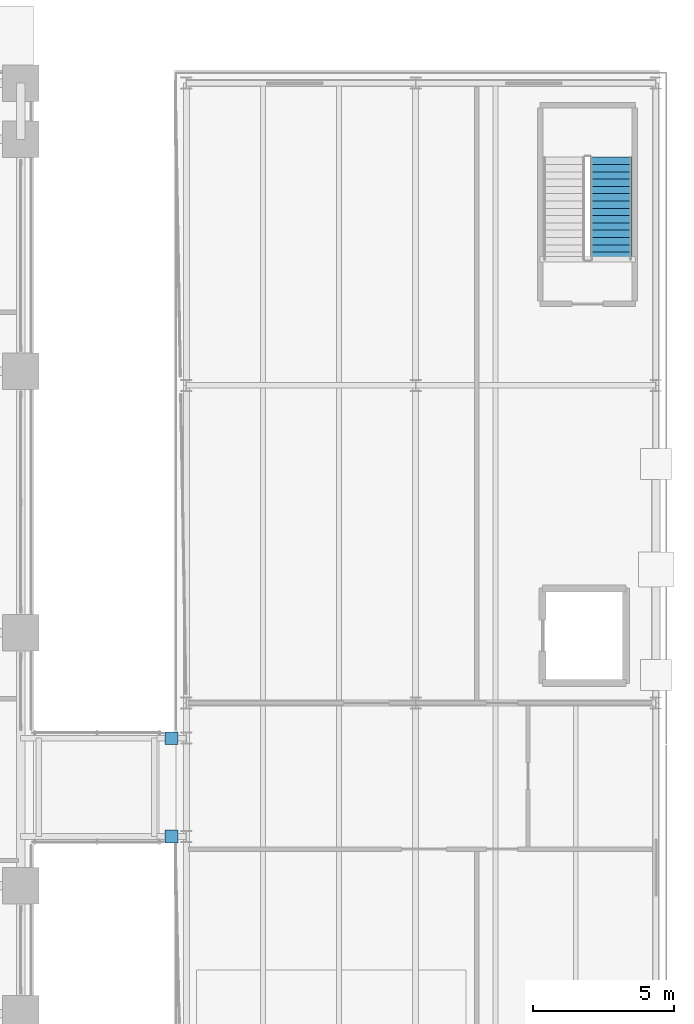
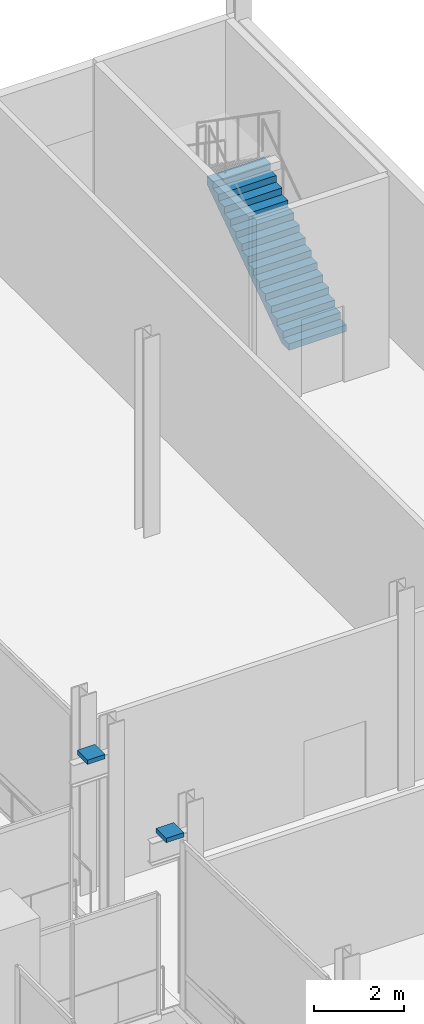
# One storey, part 23 of 32: 2 discrete accessories, 1 stair flight, 1 element without a shape of its own.
"""IFC4 building model written with IfcOpenShell, lengths in metres."""

import ifcopenshell
import ifcopenshell.guid

model = None  # the IFC model being written
_history = None  # IfcOwnerHistory: only IFC2X3 demands one
_inside = {}  # id of a spatial element -> (the spatial element, [elements in it])
_under = {}  # id of a project, library or spatial element -> (it, [spatial elements below it])
_declared = {}  # id of a project -> (the project, [libraries it declares])
_typed = {}  # id of a type object -> (the type object, [elements of that type])
_made_of = {}  # id of a material, layer set ... -> (it, [elements and type objects made of it])


def new_model(schema):
    """Start an empty IFC model of exactly this schema.

    Asked for "IFC4X3", IfcOpenShell would pick the latest addendum, in which some entities
    have other attributes; the version numbers below select the first issue.
    IFC2X3 requires an IfcOwnerHistory on every rooted entity: one is made here for all.
    """
    global model, _history
    if schema == "IFC4X3":
        model = ifcopenshell.file(schema_version=(4, 3, 0, 0))
    else:
        model = ifcopenshell.file(schema=schema)
    _inside.clear()
    _under.clear()
    _declared.clear()
    _typed.clear()
    _made_of.clear()
    _history = None
    if model.schema == "IFC2X3":
        org = make("IfcOrganization", Name="unknown")
        user = make(
            "IfcPersonAndOrganization",
            ThePerson=make("IfcPerson", FamilyName="unknown"),
            TheOrganization=org,
        )
        app = make(
            "IfcApplication",
            ApplicationDeveloper=org,
            Version="unknown",
            ApplicationFullName="unknown",
            ApplicationIdentifier="unknown",
        )
        _history = make(
            "IfcOwnerHistory",
            OwningUser=user,
            OwningApplication=app,
            ChangeAction="ADDED",
            CreationDate=0,
        )
    return model


def make(cls, **values):
    """One entity of the class cls with the attributes given. An attribute that is None is left unset."""
    return model.create_entity(
        cls, **{name: value for name, value in values.items() if value is not None}
    )


def rooted(cls, **values):
    """An entity with a GlobalId (a new one), such as an element, a storey or a relation."""
    return make(cls, GlobalId=ifcopenshell.guid.new(), OwnerHistory=_history, **values)


def si_unit(unit_type, name, prefix=None):
    """IfcSIUnit, for example si_unit("LENGTHUNIT", "METRE", prefix="MILLI")."""
    return make("IfcSIUnit", UnitType=unit_type, Prefix=prefix, Name=name)


def assignment(units):
    """IfcUnitAssignment: the units of a project."""
    return None if units is None else make("IfcUnitAssignment", Units=units)


def point(xyz):
    """IfcCartesianPoint."""
    return None if xyz is None else make("IfcCartesianPoint", Coordinates=xyz)


def direction(xyz):
    """IfcDirection."""
    return None if xyz is None else make("IfcDirection", DirectionRatios=xyz)


def frame(location, z_axis=None, x_axis=None):
    """IfcAxis2Placement3D, a coordinate frame: its origin and axes. An axis left out is left unset."""
    return make(
        "IfcAxis2Placement3D",
        Location=point(location),
        Axis=direction(z_axis),
        RefDirection=direction(x_axis),
    )


def frame_2d(location, x_axis=None):
    """IfcAxis2Placement2D, a coordinate frame in the plane: its origin and x axis."""
    return make(
        "IfcAxis2Placement2D", Location=point(location), RefDirection=direction(x_axis)
    )


def origin():
    """The frame at (0, 0, 0) with its axes left unset."""
    return frame((0.0, 0.0, 0.0))


def origin_2d():
    """The frame at (0, 0) in the plane with its x axis left unset."""
    return frame_2d((0.0, 0.0))


def place(relative_to, where):
    """IfcLocalPlacement: puts the frame where relative to a parent placement (None: the world)."""
    return make(
        "IfcLocalPlacement", PlacementRelTo=relative_to, RelativePlacement=where
    )


def context(
    kind, dimensions, precision=None, world=None, true_north=None, identifier=None
):
    """IfcGeometricRepresentationContext, for example the 3D "Model" context."""
    return make(
        "IfcGeometricRepresentationContext",
        ContextIdentifier=identifier,
        ContextType=kind,
        CoordinateSpaceDimension=dimensions,
        Precision=precision,
        WorldCoordinateSystem=world,
        TrueNorth=true_north,
    )


def subcontext(parent, identifier, kind, view, scale=None):
    """IfcGeometricRepresentationSubContext, for example "Body" below "Model"."""
    return make(
        "IfcGeometricRepresentationSubContext",
        ContextIdentifier=identifier,
        ContextType=kind,
        ParentContext=parent,
        TargetScale=scale,
        TargetView=view,
    )


def project(units=None, contexts=None):
    """IfcProject with its units and contexts."""
    return rooted(
        "IfcProject",
        Name="project",
        RepresentationContexts=contexts,
        UnitsInContext=assignment(units),
    )


def spatial(cls, under=None, at=None, **own):
    """A site, building, storey or space (cls), placed at a placement, below another one or the project."""
    s = rooted(cls, ObjectPlacement=at, **own)
    if under is not None:
        _under.setdefault(under.id(), (under, []))[1].append(s)
    return s


def polyline(points):
    """IfcPolyline through the points."""
    return make("IfcPolyline", Points=[point(p) for p in points])


def profile(cls, at=None, kind="AREA", **sizes):
    """A parametric profile (cls). Its sizes go by their IFC names, for example OverallWidth=200.0."""
    return make(cls, ProfileType=kind, Position=at, **sizes)


def rectangle(**sizes):
    """IfcRectangleProfileDef."""
    return profile("IfcRectangleProfileDef", **sizes)


def outline(outer, holes=None, kind="AREA"):
    """IfcArbitraryClosedProfileDef: a profile drawn as a closed curve; with holes, ...WithVoids."""
    if holes is None:
        return make("IfcArbitraryClosedProfileDef", ProfileType=kind, OuterCurve=outer)
    return make(
        "IfcArbitraryProfileDefWithVoids",
        ProfileType=kind,
        OuterCurve=outer,
        InnerCurves=holes,
    )


def extrude(swept, where, along, depth):
    """IfcExtrudedAreaSolid: the profile swept, set in the frame where, extruded along a direction by depth."""
    return make(
        "IfcExtrudedAreaSolid",
        SweptArea=swept,
        Position=where,
        ExtrudedDirection=direction(along),
        Depth=depth,
    )


def shape(context_of_items, identifier, shape_type, items):
    """IfcShapeRepresentation: the items that make up one representation, for example the "Body"."""
    return make(
        "IfcShapeRepresentation",
        ContextOfItems=context_of_items,
        RepresentationIdentifier=identifier,
        RepresentationType=shape_type,
        Items=items,
    )


def material(Name=None, Category=None):
    """IfcMaterial."""
    return make("IfcMaterial", Name=Name, Category=Category)


def layer(
    of_material, thickness, ventilated=None, Name=None, Category=None, Priority=None
):
    """IfcMaterialLayer: one layer of a wall or slab, of a material (None: an air gap)."""
    return make(
        "IfcMaterialLayer",
        Material=of_material,
        LayerThickness=thickness,
        IsVentilated=ventilated,
        Name=Name,
        Category=Category,
        Priority=Priority,
    )


def layer_set(layers, Name=None):
    """IfcMaterialLayerSet."""
    return make("IfcMaterialLayerSet", MaterialLayers=layers, LayerSetName=Name)


def made_of(thing, what):
    """Note that an element or type object is made of a material, layer set ...; save() writes the relation."""
    if what is not None:
        _made_of.setdefault(what.id(), (what, []))[1].append(thing)
    return thing


def type_object(cls, material=None, **own):
    """A type object (cls), such as IfcWallType, which elements share."""
    return made_of(rooted(cls, **own), material)


def element(
    cls,
    number,
    at=None,
    inside=None,
    cuts=None,
    type_object=None,
    material=None,
    context=None,
    identifier="Body",
    shape_type=None,
    held_by="IfcProductDefinitionShape",
    body=None,
    shapes=None,
    **own,
):
    """One element of the class cls, such as IfcWall. Its Tag is "e" and its number.

    at: its placement. inside: the storey or other place that contains it. cuts: it is an
    opening in that element (IfcRelVoidsElement). A single representation is given by context,
    identifier, shape_type and body (its items); several are given by shapes. held_by: the class
    of the entity that holds the representations. save() writes the other relations.
    """
    e = rooted(cls, Tag="e%d" % number, ObjectPlacement=at, **own)
    if body is not None:
        shapes = [shape(context, identifier, shape_type, body)]
    if shapes is not None:
        e.Representation = make(held_by, Representations=shapes)
    if inside is not None:
        _inside.setdefault(inside.id(), (inside, []))[1].append(e)
    if cuts is not None:
        rooted(
            "IfcRelVoidsElement", RelatingBuildingElement=cuts, RelatedOpeningElement=e
        )
    if type_object is not None:
        _typed.setdefault(type_object.id(), (type_object, []))[1].append(e)
    return made_of(e, material)


def aggregate(whole, parts):
    """IfcRelAggregates: a whole, such as a stair, and the parts it consists of."""
    return rooted("IfcRelAggregates", RelatingObject=whole, RelatedObjects=parts)


def save(model, path):
    """Write the relations noted so far, then the file.

    IfcRelAggregates (storeys below a building ...), IfcRelContainedInSpatialStructure (elements
    in a storey), IfcRelDefinesByType, IfcRelAssociatesMaterial and IfcRelDeclares: one each for
    every whole, place, type object, material and project.
    """
    for whole, parts in _under.values():
        aggregate(whole, parts)
    for where, things in _inside.values():
        rooted(
            "IfcRelContainedInSpatialStructure",
            RelatedElements=things,
            RelatingStructure=where,
        )
    for kind, things in _typed.values():
        rooted("IfcRelDefinesByType", RelatedObjects=things, RelatingType=kind)
    for what, things in _made_of.values():
        rooted("IfcRelAssociatesMaterial", RelatedObjects=things, RelatingMaterial=what)
    for by, libraries in _declared.values():
        rooted("IfcRelDeclares", RelatingContext=by, RelatedDefinitions=libraries)
    model.write(path)


model = new_model("IFC4")

# Units and contexts
model_context = context("Model", 3, precision=1e-05, world=origin(), true_north=direction((0.0, 1.0)))
body_context = subcontext(model_context, "Body", "Model", "MODEL_VIEW")
ifc_project = project(units=[si_unit("LENGTHUNIT", "METRE"), si_unit("AREAUNIT", "SQUARE_METRE"), si_unit("VOLUMEUNIT", "CUBIC_METRE"), si_unit("PLANEANGLEUNIT", "RADIAN"), si_unit("MASSUNIT", "GRAM", prefix="KILO")], contexts=[model_context])

# Site, building, storey
site_placement = place(None, origin())
site = spatial("IfcSite", under=ifc_project, at=site_placement, CompositionType="ELEMENT")
building_placement = place(site_placement, origin())
building = spatial("IfcBuilding", under=site, at=building_placement, Name="Noeulbin Bourse Tower", CompositionType="ELEMENT")
storey_placement = place(building_placement, frame((0.0, 0.0, 5.800048828125)))
storey = spatial("IfcBuildingStorey", under=building, at=storey_placement, Name="L02", CompositionType="ELEMENT", Elevation=5.800048828125)

# Stair, stair flight
ifc_material_1 = material(Name="Concrete C40/50", Category="concrete")
stair_type = type_object("IfcStairType", Name="STR-MKT-1480", PredefinedType="HALF_TURN_STAIR", material=ifc_material_1)
stair_placement = place(storey_placement, origin())
stair = element("IfcStair", 1, at=stair_placement, inside=storey, type_object=stair_type, Name="L02 MST-2", PredefinedType="HALF_TURN_STAIR")
stair_flight_type = type_object("IfcStairFlightType", Name="SFL-MKT-1480", PredefinedType="STRAIGHT", material=ifc_material_1)
stair_flight_placement = place(storey_placement, frame((75.56005859375, 42.280029296875, 0.0), z_axis=(0.0, 0.0, 1.0), x_axis=(0.0, 1.0, 0.0)))
stair_flight = element("IfcStairFlight", 2, at=stair_flight_placement, type_object=stair_flight_type, Name="MST-2 flight 1", NumberOfRisers=15, NumberOfTreads=14, PredefinedType="STRAIGHT", RiserHeight=0.18, TreadLength=0.26, context=body_context, shape_type="SweptSolid", body=[
    extrude(outline(polyline([(0.0, 0.0), (0.0, 0.179931640625), (0.260009765625, 0.179931640625), (0.260009765625, 0.360107421875), (0.52001953125, 0.360107421875), (0.52001953125, 0.5400390625), (0.780029296875, 0.5400390625), (0.780029296875, 0.719970703125), (1.0400390625, 0.719970703125), (1.0400390625, 0.89990234375), (1.300048828125, 0.89990234375), (1.300048828125, 1.080078125), (1.56005859375, 1.080078125), (1.56005859375, 1.260009765625), (1.820068359375, 1.260009765625), (1.820068359375, 1.43994140625), (2.080078125, 1.43994140625), (2.080078125, 1.6201171875), (2.340087890625, 1.6201171875), (2.340087890625, 1.800048828125), (2.60009765625, 1.800048828125), (2.60009765625, 1.97998046875), (2.860107421875, 1.97998046875), (2.860107421875, 2.159912109375), (3.1201171875, 2.159912109375), (3.1201171875, 2.340087890625), (3.3798828125, 2.340087890625), (3.3798828125, 2.52001953125), (3.639892578125, 2.52001953125), (3.639892578125, 2.699951171875), (3.639892578125, 2.30126953125), (0.316162109375, 0.0), (0.0, 0.0)])), frame((0.0, 0.739990234375, 0.0), z_axis=(0.0, -1.0, 0.0), x_axis=(1.0, 0.0, 0.0)), (0.0, 0.0, 1.0), 1.47998046875),
])
aggregate(stair, [stair_flight])

# Discrete accessories
ifc_material_2 = material(Name="Stainless Steel 316", Category="steel")
ifc_layer = layer(ifc_material_2, 0.1201171875)
ifc_layer_set = layer_set([ifc_layer], Name="Stainless Steel 316")
discrete_accessory_type = type_object("IfcDiscreteAccessoryType", Name="ACC-PTFE-BRG", PredefinedType="BRACKET", material=ifc_layer_set)
for number, where, z_axis, x_axis, name in (
    (3, (59.919921875, 21.75, 4.52978515625), (0.0, 0.0, 1.0), (1.0, 0.0, 0.0), "Unguided PTFE Sliding Bridge Bearing SB-PTFE1-L03-1"),
    (4, (59.919921875, 25.25, 4.52978515625), (0.0, 0.0, 1.0), (1.0, 0.0, 0.0), "Unguided PTFE Sliding Bridge Bearing SB-PTFE1-L03-2"),
):
    element("IfcDiscreteAccessory", number, at=place(storey_placement, frame(where, z_axis=z_axis, x_axis=x_axis)), inside=storey, type_object=discrete_accessory_type, Name=name, PredefinedType="BRACKET", context=body_context, shape_type="SweptSolid", body=[
        extrude(rectangle(XDim=0.449951171875, YDim=0.449951171875, at=origin_2d()), origin(), (0.0, 0.0, 1.0), 0.1201171875),
    ])

save(model, "model.ifc")
